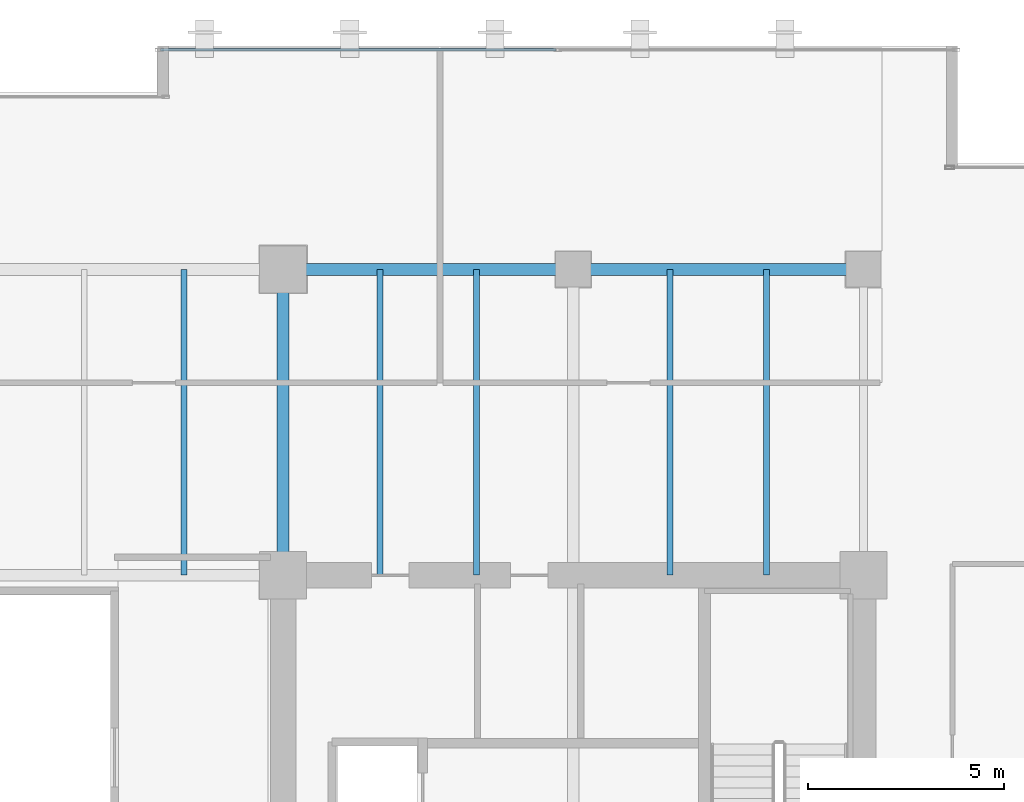
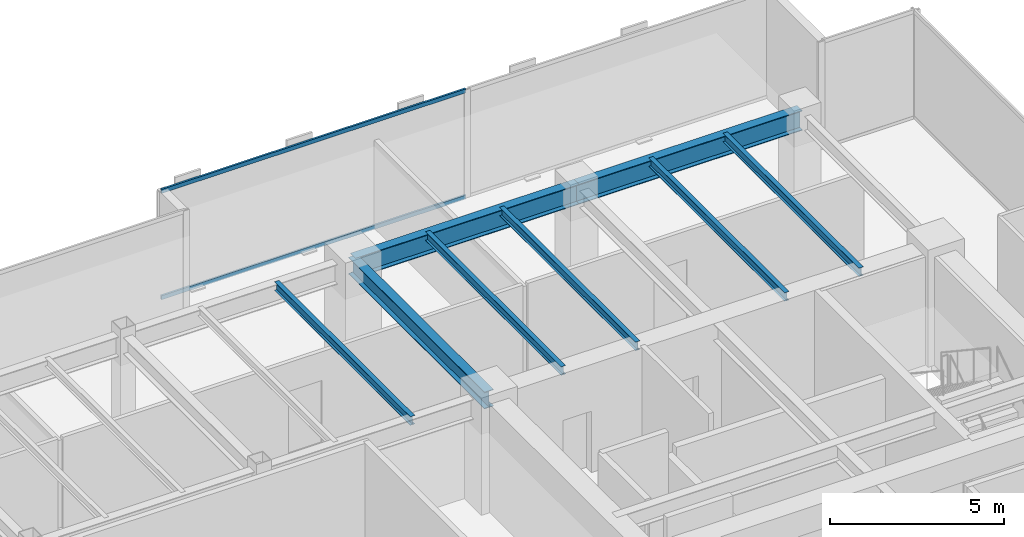
# One storey, part 19 of 34: 8 beams, 2 members, 1 element without a shape of its own.
"""IFC4 building model written with IfcOpenShell, lengths in metres."""

from ifc_helpers import new_model, si_unit, direction, frame, origin, origin_2d, place, context, subcontext, project, spatial, hollow_rectangle, i_section, extrude, source, transform, mapped, material, layer, layer_set, material_profile, profile_set, type_object, type_shapes, element, aggregate, save


model = new_model("IFC4")

# Units and contexts
model_context = context("Model", 3, precision=1e-05, world=origin(), true_north=direction((0.0, 1.0)))
body_context = subcontext(model_context, "Body", "Model", "MODEL_VIEW")
ifc_project = project(units=[si_unit("LENGTHUNIT", "METRE"), si_unit("AREAUNIT", "SQUARE_METRE"), si_unit("VOLUMEUNIT", "CUBIC_METRE"), si_unit("PLANEANGLEUNIT", "RADIAN"), si_unit("MASSUNIT", "GRAM", prefix="KILO")], contexts=[model_context])

# Site, building, storey
site_placement = place(None, origin())
site = spatial("IfcSite", under=ifc_project, at=site_placement, CompositionType="ELEMENT")
building_placement = place(site_placement, origin())
building = spatial("IfcBuilding", under=site, at=building_placement, Name="Haelvirn Gate Laboratories", CompositionType="ELEMENT")
storey_placement = place(building_placement, frame((0.0, 0.0, 158.39990234375)))
storey = spatial("IfcBuildingStorey", under=building, at=storey_placement, Name="L38", CompositionType="ELEMENT", Elevation=158.39990234375)

# Beams
ifc_material_1 = material(Name="Steel SM355", Category="steel")
ifc_material_profile_1 = material_profile(ifc_material_1, i_section(OverallWidth=0.300048828125, OverallDepth=0.699951171875, WebThickness=0.012939453125, FlangeThickness=0.02392578125, at=origin_2d()), Name="H-700x300x13x24")
ifc_profile_set_1 = profile_set([ifc_material_profile_1], Name="Steel SM355")
beam_type_1 = type_object("IfcBeamType", Name="BM-G-700", PredefinedType="BEAM", material=ifc_profile_set_1)
shared_shape_1 = source(origin(), body_context, "Body", "SweptSolid", [
    extrude(i_section(OverallWidth=0.300048828125, OverallDepth=0.699951171875, WebThickness=0.012939453125, FlangeThickness=0.02392578125, at=origin_2d()), origin(), (0.0, 0.0, 1.0), 7.39990234375),
])
type_shapes(beam_type_1, [shared_shape_1])
for number, where, z_axis, x_axis, name in (
    (1, (52.60009765625, 41.60009765625, 3.440185546875), (1.0, 0.0, 0.0), (0.0, 1.0, 0.0), "L38 Primary Girder Y41.6 (52.6-60.0)"),
    (2, (60.0, 41.60009765625, 3.440185546875), (1.0, 0.0, 0.0), (0.0, 1.0, 0.0), "L38 Primary Girder Y41.6 (60.0-67.4)"),
):
    element("IfcBeam", number, at=place(storey_placement, frame(where, z_axis=z_axis, x_axis=x_axis)), inside=storey, type_object=beam_type_1, Name=name, PredefinedType="BEAM", context=body_context, shape_type="MappedRepresentation", body=[
        mapped(shared_shape_1, transform((0.0, 0.0, 0.0), scale=1.0)),
    ])
ifc_material_profile_2 = material_profile(ifc_material_1, i_section(OverallWidth=0.14990234375, OverallDepth=0.300048828125, WebThickness=0.006591796875, FlangeThickness=0.009033203125, at=origin_2d()), Name="H-300x150x6.5x9")
ifc_profile_set_2 = profile_set([ifc_material_profile_2], Name="Steel SM355")
beam_type_2 = type_object("IfcBeamType", Name="BM-J-300", PredefinedType="JOIST", material=ifc_profile_set_2)
shared_shape_2 = source(origin(), body_context, "Body", "SweptSolid", [
    extrude(i_section(OverallWidth=0.14990234375, OverallDepth=0.300048828125, WebThickness=0.006591796875, FlangeThickness=0.009033203125, at=origin_2d()), origin(), (0.0, 0.0, 1.0), 7.800048828125),
])
type_shapes(beam_type_2, [shared_shape_2])
for number, where, z_axis, x_axis, name in (
    (3, (50.070068359375, 33.800048828125, 3.64013671875), (0.0, 1.0, 0.0), (-1.0, 0.0, 0.0), "L38 Composite Lab Joist North X50.07"),
    (4, (55.070068359375, 33.800048828125, 3.64013671875), (0.0, 1.0, 0.0), (-1.0, 0.0, 0.0), "L38 Composite Lab Joist North X55.07"),
    (5, (57.530029296875, 33.800048828125, 3.64013671875), (0.0, 1.0, 0.0), (-1.0, 0.0, 0.0), "L38 Composite Lab Joist North X57.53"),
    (6, (62.469970703125, 33.800048828125, 3.64013671875), (0.0, 1.0, 0.0), (-1.0, 0.0, 0.0), "L38 Composite Lab Joist North X62.47"),
    (7, (64.929931640625, 33.800048828125, 3.64013671875), (0.0, 1.0, 0.0), (-1.0, 0.0, 0.0), "L38 Composite Lab Joist North X64.93"),
):
    element("IfcBeam", number, at=place(storey_placement, frame(where, z_axis=z_axis, x_axis=x_axis)), inside=storey, type_object=beam_type_2, Name=name, PredefinedType="JOIST", context=body_context, shape_type="MappedRepresentation", body=[
        mapped(shared_shape_2, transform((0.0, 0.0, 0.0), scale=1.0)),
    ])
ifc_material_profile_3 = material_profile(ifc_material_1, i_section(OverallWidth=0.300048828125, OverallDepth=0.587890625, WebThickness=0.011962890625, FlangeThickness=0.02001953125, at=origin_2d()), Name="H-588x300x12x20")
ifc_profile_set_3 = profile_set([ifc_material_profile_3], Name="Steel SM355")
beam_type_3 = type_object("IfcBeamType", Name="BM-G-588", PredefinedType="BEAM", material=ifc_profile_set_3)
shared_shape_3 = source(origin(), body_context, "Body", "SweptSolid", [
    extrude(i_section(OverallWidth=0.300048828125, OverallDepth=0.587890625, WebThickness=0.011962890625, FlangeThickness=0.02001953125, at=origin_2d()), origin(), (0.0, 0.0, 1.0), 7.800048828125),
])
type_shapes(beam_type_3, [shared_shape_3])
beam_placement = place(storey_placement, frame((52.60009765625, 33.800048828125, 3.49609375), z_axis=(0.0, 1.0, 0.0), x_axis=(-1.0, 0.0, 0.0)))
element("IfcBeam", 8, at=beam_placement, inside=storey, type_object=beam_type_3, Name="L38 Frame Girder X52.6 (33.8-41.6)", PredefinedType="BEAM", context=body_context, shape_type="MappedRepresentation", body=[
    mapped(shared_shape_3, transform((0.0, 0.0, 0.0), scale=1.0)),
])

# Curtain wall, members
ifc_material_2 = material(Name="Anodised bronze unitised aluminium & triple low-E glass", Category="aluminium")
ifc_layer = layer(ifc_material_2, 0.179931640625, Name="CW-SYS-3")
ifc_layer_set = layer_set([ifc_layer], Name="Anodised bronze unitised aluminium & triple low-E glass")
curtain_wall_type = type_object("IfcCurtainWallType", Name="CW-SYS-3", PredefinedType="NOTDEFINED", material=ifc_layer_set)
curtain_wall_placement = place(storey_placement, origin())
curtain_wall = element("IfcCurtainWall", 9, at=curtain_wall_placement, inside=storey, type_object=curtain_wall_type, Name="L38 Unitised Curtain Wall CW-L38-P0-E10-1", PredefinedType="NOTDEFINED")
ifc_material_3 = material(Name="Extruded aluminium 6063-T6 (anodised bronze)", Category="aluminium")
ifc_material_profile_4 = material_profile(ifc_material_3, hollow_rectangle(XDim=0.06494140625, YDim=0.139892578125, WallThickness=0.00390625, at=origin_2d()), Name="CWT-140x65x4")
ifc_profile_set_4 = profile_set([ifc_material_profile_4], Name="Extruded aluminium 6063-T6 (anodised bronze)")
member_type = type_object("IfcMemberType", Name="CWT-T140", PredefinedType="USERDEFINED", material=ifc_profile_set_4)
shared_shape_4 = source(origin(), body_context, "Body", "SweptSolid", [
    extrude(hollow_rectangle(XDim=0.06494140625, YDim=0.139892578125, WallThickness=0.00390625, at=origin_2d()), origin(), (0.0, 0.0, 1.0), 10.08740234375),
])
type_shapes(member_type, [shared_shape_4])
member_1_placement = place(storey_placement, frame((49.47509765625, 47.199951171875, 0.03271484375), z_axis=(1.0, 0.0, 0.0), x_axis=(0.0, 1.0, 0.0)))
member_1 = element("IfcMember", 10, at=member_1_placement, type_object=member_type, Name="CW3 transom 1.1", ObjectType="TRANSOM", PredefinedType="USERDEFINED", context=body_context, shape_type="MappedRepresentation", body=[
    mapped(shared_shape_4, transform((0.0, 0.0, 0.0), scale=1.0)),
])
member_2_placement = place(storey_placement, frame((49.47509765625, 47.199951171875, 3.757568359375), z_axis=(1.0, 0.0, 0.0), x_axis=(0.0, 1.0, 0.0)))
member_2 = element("IfcMember", 11, at=member_2_placement, type_object=member_type, Name="CW3 transom 1.2", ObjectType="TRANSOM", PredefinedType="USERDEFINED", context=body_context, shape_type="MappedRepresentation", body=[
    mapped(shared_shape_4, transform((0.0, 0.0, 0.0), scale=1.0)),
])
aggregate(curtain_wall, [member_1, member_2])

save(model, "model.ifc")
